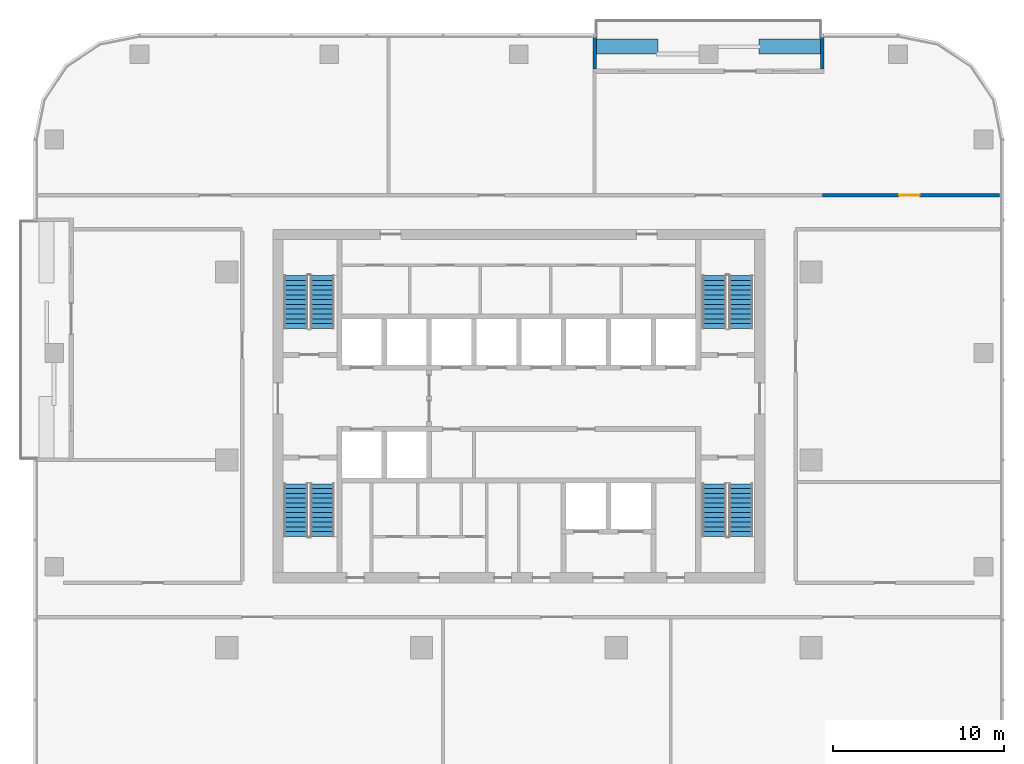
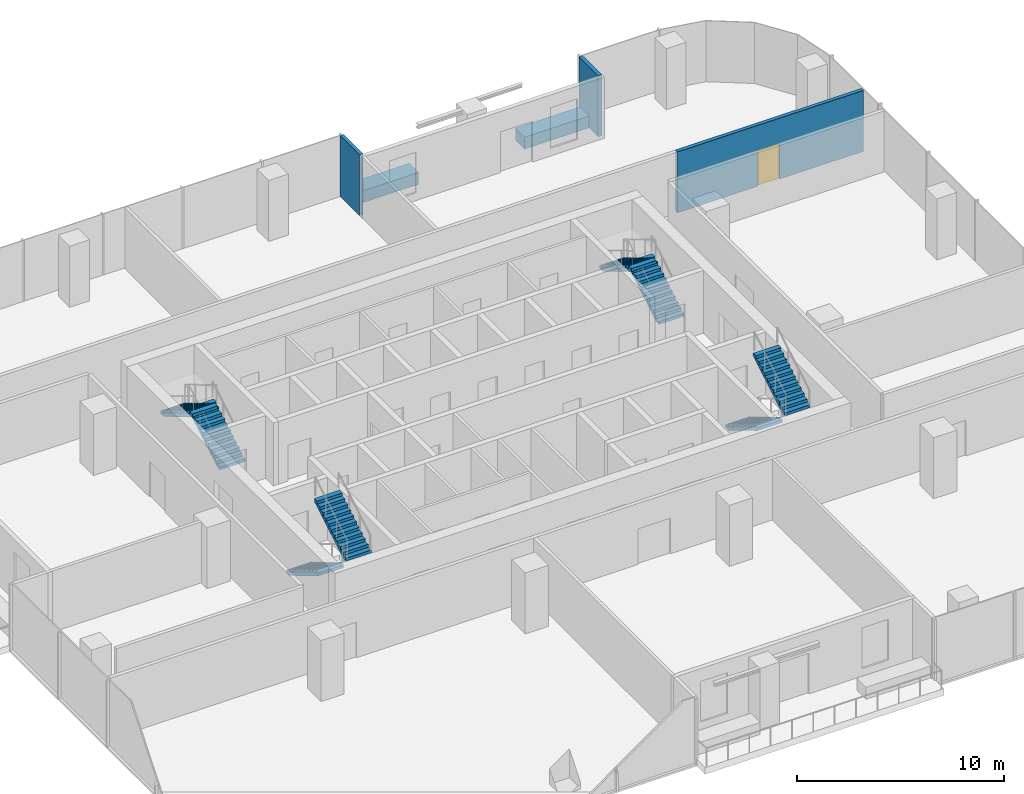
# One storey, part 10 of 14: 8 stair flights, 5 walls, 1 door, 1 opening, 4 elements without a shape of their own.
"""IFC4 building model written with IfcOpenShell, lengths in metres."""

from ifc_helpers import new_model, si_unit, direction, frame, frame_2d, origin, place, context, subcontext, project, spatial, polyline, rectangle, outline, extrude, material, layer, layer_set, type_object, element, fill, aggregate, save


model = new_model("IFC4")

# Units and contexts
model_context = context("Model", 3, precision=1e-05, world=origin(), true_north=direction((0.0, 1.0)))
body_context = subcontext(model_context, "Body", "Model", "MODEL_VIEW")
ifc_project = project(units=[si_unit("LENGTHUNIT", "METRE"), si_unit("AREAUNIT", "SQUARE_METRE"), si_unit("VOLUMEUNIT", "CUBIC_METRE"), si_unit("PLANEANGLEUNIT", "RADIAN"), si_unit("MASSUNIT", "GRAM", prefix="KILO")], contexts=[model_context])

# Site, building, storey
site_placement = place(None, origin())
site = spatial("IfcSite", under=ifc_project, at=site_placement, CompositionType="ELEMENT")
building_placement = place(site_placement, origin())
building = spatial("IfcBuilding", under=site, at=building_placement, Name="Mopane Tessera Tower", CompositionType="ELEMENT")
storey_placement = place(building_placement, frame((0.0, 0.0, 243.0)))
storey = spatial("IfcBuildingStorey", under=building, at=storey_placement, Name="L52", CompositionType="ELEMENT", Elevation=243.0)

# Wall, opening, door
ifc_material_1 = material(Name="Gypsum board on steel studs, two layers each face, mineral wool infill", Category="steel")
ifc_layer_1 = layer(ifc_material_1, 0.199951171875)
ifc_layer_set_1 = layer_set([ifc_layer_1], Name="Gypsum board on steel studs, two layers each face, mineral wool infill")
wall_type_1 = type_object("IfcWallType", Name="Gypsum board corridor wall 200, rated EI 60", PredefinedType="PARTITIONING", material=ifc_layer_set_1)
wall_placement = place(storey_placement, frame((17.784912109375, 15.5, 0.0), z_axis=(0.0, 0.0, 1.0), x_axis=(1.0, 0.0, 0.0)))
wall = element("IfcWall", 1, at=wall_placement, inside=storey, type_object=wall_type_1, Name="Partition L52:008", PredefinedType="PARTITIONING", context=body_context, shape_type="SweptSolid", body=[
    extrude(rectangle(XDim=10.364990234375, YDim=0.199951171875, at=frame_2d((5.1826171875, 0.0))), origin(), (0.0, 0.0, 1.0), 3.60009765625),
])
opening_placement = place(wall_placement, frame((4.482421875, 0.0, 0.0)))
opening = element("IfcOpeningElement", 2, at=opening_placement, cuts=wall, Name="Opening L52-04", PredefinedType="OPENING", context=body_context, shape_type="SweptSolid", body=[
    extrude(rectangle(XDim=1.199951171875, YDim=2.10009765625, at=frame_2d((0.60009765625, 1.050048828125))), frame((0.0, 0.112060546875, 0.0), z_axis=(0.0, -1.0, 0.0), x_axis=(1.0, 0.0, 0.0)), (0.0, 0.0, 1.0), 0.223876953125),
])
ifc_material_2 = material(Name="Timber veneered steel-framed fire door", Category="steel")
door_type = type_object("IfcDoorType", Name="Fire door FD60 1200 x 2100", OperationType="SINGLE_SWING_LEFT", PredefinedType="DOOR", material=ifc_material_2)
door_placement = place(opening_placement, origin())
door = element("IfcDoor", 3, at=door_placement, inside=storey, type_object=door_type, Name="Door L52-04", ObjectType="D15A", OperationType="SINGLE_SWING_LEFT", OverallHeight=2.10009765625, OverallWidth=1.199951171875, PredefinedType="DOOR", context=body_context, shape_type="SweptSolid", body=[
    extrude(rectangle(XDim=1.199951171875, YDim=2.10009765625, at=frame_2d((0.60009765625, 1.050048828125))), frame((0.0, 0.02490234375, 0.0), z_axis=(0.0, -1.0, 0.0), x_axis=(1.0, 0.0, 0.0)), (0.0, 0.0, 1.0), 0.050048828125),
])
fill(opening, door)

# Walls
ifc_material_3 = material(Name="Reinforced concrete C32/40 with waterproofing", Category="concrete")
ifc_layer_2 = layer(ifc_material_3, 0.89990234375)
ifc_layer_set_2 = layer_set([ifc_layer_2], Name="Reinforced concrete C32/40 with waterproofing")
wall_type_2 = type_object("IfcWallType", Name="Planter trough 3600 x 900", PredefinedType="STANDARD", material=ifc_layer_set_2)
for number, where, z_axis, x_axis, name in (
    (4, (17.659912109375, 24.199951171875, 0.0), (0.0, 0.0, 1.0), (-1.0, 0.0, 0.0), "e:nw:L52:N2:pl0"),
    (5, (8.139892578125, 24.199951171875, 0.0), (0.0, 0.0, 1.0), (-1.0, 0.0, 0.0), "e:nw:L52:N2:pl1"),
):
    element("IfcWall", number, at=place(storey_placement, frame(where, z_axis=z_axis, x_axis=x_axis)), inside=storey, type_object=wall_type_2, Name=name, PredefinedType="STANDARD", context=body_context, shape_type="SweptSolid", body=[
        extrude(rectangle(XDim=3.599853515625, YDim=0.89990234375, at=frame_2d((1.7998046875, 0.0))), origin(), (0.0, 0.0, 1.0), 0.699951171875),
    ])
ifc_material_4 = material(Name="Blockwork with glazed tile facing", Category="masonry")
ifc_layer_3 = layer(ifc_material_4, 0.199951171875)
ifc_layer_set_3 = layer_set([ifc_layer_3], Name="Blockwork with glazed tile facing")
wall_type_3 = type_object("IfcWallType", Name="Terrace cheek wall 200", PredefinedType="STANDARD", material=ifc_layer_set_3)
for number, where, z_axis, x_axis, name in (
    (6, (17.760009765625, 24.75, 0.0), (0.0, 0.0, 1.0), (0.0, -1.0, 0.0), "e:nw:L52:N2:cheeka"),
    (7, (4.43994140625, 24.75, 0.0), (0.0, 0.0, 1.0), (0.0, -1.0, 0.0), "e:nw:L52:N2:cheekb"),
):
    element("IfcWall", number, at=place(storey_placement, frame(where, z_axis=z_axis, x_axis=x_axis)), inside=storey, type_object=wall_type_3, Name=name, PredefinedType="STANDARD", context=body_context, shape_type="SweptSolid", body=[
        extrude(rectangle(XDim=1.875, YDim=0.199951171875, at=frame_2d((0.9375, 0.0))), origin(), (0.0, 0.0, 1.0), 3.60009765625),
    ])

# Stair, stair flights
ifc_material_5 = material(Name="Concrete C50/60", Category="concrete")
stair_type = type_object("IfcStairType", Name="Escape stair 1400 mm, riser 167 mm", PredefinedType="HALF_TURN_STAIR", material=ifc_material_5)
stair_1_placement = place(storey_placement, origin())
stair_1 = element("IfcStair", 8, at=stair_1_placement, inside=storey, type_object=stair_type, Name="L52 Escape stair south-west", PredefinedType="HALF_TURN_STAIR")
ifc_material_6 = material(Name="Concrete C50/60", Category="concrete")
stair_flight_type = type_object("IfcStairFlightType", Name="Escape stair flight 1400 mm", PredefinedType="STRAIGHT", material=ifc_material_6)
stair_flight_1_placement = place(storey_placement, frame((-13.050048828125, -1.39990234375, 0.0), z_axis=(0.0, 0.0, 1.0), x_axis=(0.0, -1.0, 0.0)))
stair_flight_1 = element("IfcStairFlight", 9, at=stair_flight_1_placement, type_object=stair_flight_type, Name="ST1 flight 1", NumberOfRisers=12, NumberOfTreads=11, PredefinedType="STRAIGHT", RiserHeight=0.166666667, TreadLength=0.28, context=body_context, shape_type="SweptSolid", body=[
    extrude(outline(polyline([(0.0, 0.0), (0.0, 0.166748046875), (0.280029296875, 0.166748046875), (0.280029296875, 0.333251953125), (0.56005859375, 0.333251953125), (0.56005859375, 0.5), (0.840087890625, 0.5), (0.840087890625, 0.666748046875), (1.1201171875, 0.666748046875), (1.1201171875, 0.833251953125), (1.39990234375, 0.833251953125), (1.39990234375, 1.0), (1.679931640625, 1.0), (1.679931640625, 1.166748046875), (1.9599609375, 1.166748046875), (1.9599609375, 1.333251953125), (2.239990234375, 1.333251953125), (2.239990234375, 1.5), (2.52001953125, 1.5), (2.52001953125, 1.666748046875), (2.800048828125, 1.666748046875), (2.800048828125, 1.833251953125), (3.080078125, 1.833251953125), (3.080078125, 2.0), (3.080078125, 1.658935546875), (0.29296875, 0.0), (0.0, 0.0)])), frame((0.0, 0.699951171875, 0.0), z_axis=(0.0, -1.0, 0.0), x_axis=(1.0, 0.0, 0.0)), (0.0, 0.0, 1.0), 1.39990234375),
])
stair_flight_2_placement = place(storey_placement, frame((-11.5, -4.47998046875, 2.0), z_axis=(0.0, 0.0, 1.0), x_axis=(0.0, 1.0, 0.0)))
stair_flight_2 = element("IfcStairFlight", 10, at=stair_flight_2_placement, type_object=stair_flight_type, Name="ST1 flight 2", NumberOfRisers=12, NumberOfTreads=11, PredefinedType="STRAIGHT", RiserHeight=0.166666667, TreadLength=0.28, context=body_context, shape_type="SweptSolid", body=[
    extrude(outline(polyline([(0.0, 0.0), (0.0, 0.166748046875), (0.280029296875, 0.166748046875), (0.280029296875, 0.333251953125), (0.56005859375, 0.333251953125), (0.56005859375, 0.5), (0.840087890625, 0.5), (0.840087890625, 0.666748046875), (1.1201171875, 0.666748046875), (1.1201171875, 0.833251953125), (1.39990234375, 0.833251953125), (1.39990234375, 1.0), (1.679931640625, 1.0), (1.679931640625, 1.166748046875), (1.9599609375, 1.166748046875), (1.9599609375, 1.333251953125), (2.239990234375, 1.333251953125), (2.239990234375, 1.5), (2.52001953125, 1.5), (2.52001953125, 1.666748046875), (2.800048828125, 1.666748046875), (2.800048828125, 1.833251953125), (3.080078125, 1.833251953125), (3.080078125, 2.0), (3.080078125, 1.658935546875), (0.29296875, 0.0), (0.0, 0.0)])), frame((0.0, 0.699951171875, 0.0), z_axis=(0.0, -1.0, 0.0), x_axis=(1.0, 0.0, 0.0)), (0.0, 0.0, 1.0), 1.39990234375),
])
aggregate(stair_1, [stair_flight_1, stair_flight_2])

stair_2_placement = place(storey_placement, origin())
stair_2 = element("IfcStair", 11, at=stair_2_placement, inside=storey, type_object=stair_type, Name="L52 Escape stair north-west", PredefinedType="HALF_TURN_STAIR")
stair_flight_3_placement = place(storey_placement, frame((-11.5, 7.699951171875, 0.0), z_axis=(0.0, 0.0, 1.0), x_axis=(0.0, 1.0, 0.0)))
stair_flight_3 = element("IfcStairFlight", 12, at=stair_flight_3_placement, type_object=stair_flight_type, Name="ST2 flight 1", NumberOfRisers=12, NumberOfTreads=11, PredefinedType="STRAIGHT", RiserHeight=0.166666667, TreadLength=0.28, context=body_context, shape_type="SweptSolid", body=[
    extrude(outline(polyline([(0.0, 0.0), (0.0, 0.166748046875), (0.280029296875, 0.166748046875), (0.280029296875, 0.333251953125), (0.56005859375, 0.333251953125), (0.56005859375, 0.5), (0.840087890625, 0.5), (0.840087890625, 0.666748046875), (1.1201171875, 0.666748046875), (1.1201171875, 0.833251953125), (1.39990234375, 0.833251953125), (1.39990234375, 1.0), (1.679931640625, 1.0), (1.679931640625, 1.166748046875), (1.9599609375, 1.166748046875), (1.9599609375, 1.333251953125), (2.239990234375, 1.333251953125), (2.239990234375, 1.5), (2.52001953125, 1.5), (2.52001953125, 1.666748046875), (2.800048828125, 1.666748046875), (2.800048828125, 1.833251953125), (3.080078125, 1.833251953125), (3.080078125, 2.0), (3.080078125, 1.658935546875), (0.29296875, 0.0), (0.0, 0.0)])), frame((0.0, 0.699951171875, 0.0), z_axis=(0.0, -1.0, 0.0), x_axis=(1.0, 0.0, 0.0)), (0.0, 0.0, 1.0), 1.39990234375),
])
stair_flight_4_placement = place(storey_placement, frame((-13.050048828125, 10.780029296875, 2.0), z_axis=(0.0, 0.0, 1.0), x_axis=(0.0, -1.0, 0.0)))
stair_flight_4 = element("IfcStairFlight", 13, at=stair_flight_4_placement, type_object=stair_flight_type, Name="ST2 flight 2", NumberOfRisers=12, NumberOfTreads=11, PredefinedType="STRAIGHT", RiserHeight=0.166666667, TreadLength=0.28, context=body_context, shape_type="SweptSolid", body=[
    extrude(outline(polyline([(0.0, 0.0), (0.0, 0.166748046875), (0.280029296875, 0.166748046875), (0.280029296875, 0.333251953125), (0.56005859375, 0.333251953125), (0.56005859375, 0.5), (0.840087890625, 0.5), (0.840087890625, 0.666748046875), (1.1201171875, 0.666748046875), (1.1201171875, 0.833251953125), (1.39990234375, 0.833251953125), (1.39990234375, 1.0), (1.679931640625, 1.0), (1.679931640625, 1.166748046875), (1.9599609375, 1.166748046875), (1.9599609375, 1.333251953125), (2.239990234375, 1.333251953125), (2.239990234375, 1.5), (2.52001953125, 1.5), (2.52001953125, 1.666748046875), (2.800048828125, 1.666748046875), (2.800048828125, 1.833251953125), (3.080078125, 1.833251953125), (3.080078125, 2.0), (3.080078125, 1.658935546875), (0.29296875, 0.0), (0.0, 0.0)])), frame((0.0, 0.699951171875, 0.0), z_axis=(0.0, -1.0, 0.0), x_axis=(1.0, 0.0, 0.0)), (0.0, 0.0, 1.0), 1.39990234375),
])
aggregate(stair_2, [stair_flight_3, stair_flight_4])

stair_3_placement = place(storey_placement, origin())
stair_3 = element("IfcStair", 14, at=stair_3_placement, inside=storey, type_object=stair_type, Name="L52 Escape stair south-east", PredefinedType="HALF_TURN_STAIR")
stair_flight_5_placement = place(storey_placement, frame((11.449951171875, -1.39990234375, 0.0), z_axis=(0.0, 0.0, 1.0), x_axis=(0.0, -1.0, 0.0)))
stair_flight_5 = element("IfcStairFlight", 15, at=stair_flight_5_placement, type_object=stair_flight_type, Name="ST3 flight 1", NumberOfRisers=12, NumberOfTreads=11, PredefinedType="STRAIGHT", RiserHeight=0.166666667, TreadLength=0.28, context=body_context, shape_type="SweptSolid", body=[
    extrude(outline(polyline([(0.0, 0.0), (0.0, 0.166748046875), (0.280029296875, 0.166748046875), (0.280029296875, 0.333251953125), (0.56005859375, 0.333251953125), (0.56005859375, 0.5), (0.840087890625, 0.5), (0.840087890625, 0.666748046875), (1.1201171875, 0.666748046875), (1.1201171875, 0.833251953125), (1.39990234375, 0.833251953125), (1.39990234375, 1.0), (1.679931640625, 1.0), (1.679931640625, 1.166748046875), (1.9599609375, 1.166748046875), (1.9599609375, 1.333251953125), (2.239990234375, 1.333251953125), (2.239990234375, 1.5), (2.52001953125, 1.5), (2.52001953125, 1.666748046875), (2.800048828125, 1.666748046875), (2.800048828125, 1.833251953125), (3.080078125, 1.833251953125), (3.080078125, 2.0), (3.080078125, 1.658935546875), (0.29296875, 0.0), (0.0, 0.0)])), frame((0.0, 0.699951171875, 0.0), z_axis=(0.0, -1.0, 0.0), x_axis=(1.0, 0.0, 0.0)), (0.0, 0.0, 1.0), 1.39990234375),
])
stair_flight_6_placement = place(storey_placement, frame((13.0, -4.47998046875, 2.0), z_axis=(0.0, 0.0, 1.0), x_axis=(0.0, 1.0, 0.0)))
stair_flight_6 = element("IfcStairFlight", 16, at=stair_flight_6_placement, type_object=stair_flight_type, Name="ST3 flight 2", NumberOfRisers=12, NumberOfTreads=11, PredefinedType="STRAIGHT", RiserHeight=0.166666667, TreadLength=0.28, context=body_context, shape_type="SweptSolid", body=[
    extrude(outline(polyline([(0.0, 0.0), (0.0, 0.166748046875), (0.280029296875, 0.166748046875), (0.280029296875, 0.333251953125), (0.56005859375, 0.333251953125), (0.56005859375, 0.5), (0.840087890625, 0.5), (0.840087890625, 0.666748046875), (1.1201171875, 0.666748046875), (1.1201171875, 0.833251953125), (1.39990234375, 0.833251953125), (1.39990234375, 1.0), (1.679931640625, 1.0), (1.679931640625, 1.166748046875), (1.9599609375, 1.166748046875), (1.9599609375, 1.333251953125), (2.239990234375, 1.333251953125), (2.239990234375, 1.5), (2.52001953125, 1.5), (2.52001953125, 1.666748046875), (2.800048828125, 1.666748046875), (2.800048828125, 1.833251953125), (3.080078125, 1.833251953125), (3.080078125, 2.0), (3.080078125, 1.658935546875), (0.29296875, 0.0), (0.0, 0.0)])), frame((0.0, 0.699951171875, 0.0), z_axis=(0.0, -1.0, 0.0), x_axis=(1.0, 0.0, 0.0)), (0.0, 0.0, 1.0), 1.39990234375),
])
aggregate(stair_3, [stair_flight_5, stair_flight_6])

stair_4_placement = place(storey_placement, origin())
stair_4 = element("IfcStair", 17, at=stair_4_placement, inside=storey, type_object=stair_type, Name="L52 Escape stair north-east", PredefinedType="HALF_TURN_STAIR")
stair_flight_7_placement = place(storey_placement, frame((13.0, 7.699951171875, 0.0), z_axis=(0.0, 0.0, 1.0), x_axis=(0.0, 1.0, 0.0)))
stair_flight_7 = element("IfcStairFlight", 18, at=stair_flight_7_placement, type_object=stair_flight_type, Name="ST4 flight 1", NumberOfRisers=12, NumberOfTreads=11, PredefinedType="STRAIGHT", RiserHeight=0.166666667, TreadLength=0.28, context=body_context, shape_type="SweptSolid", body=[
    extrude(outline(polyline([(0.0, 0.0), (0.0, 0.166748046875), (0.280029296875, 0.166748046875), (0.280029296875, 0.333251953125), (0.56005859375, 0.333251953125), (0.56005859375, 0.5), (0.840087890625, 0.5), (0.840087890625, 0.666748046875), (1.1201171875, 0.666748046875), (1.1201171875, 0.833251953125), (1.39990234375, 0.833251953125), (1.39990234375, 1.0), (1.679931640625, 1.0), (1.679931640625, 1.166748046875), (1.9599609375, 1.166748046875), (1.9599609375, 1.333251953125), (2.239990234375, 1.333251953125), (2.239990234375, 1.5), (2.52001953125, 1.5), (2.52001953125, 1.666748046875), (2.800048828125, 1.666748046875), (2.800048828125, 1.833251953125), (3.080078125, 1.833251953125), (3.080078125, 2.0), (3.080078125, 1.658935546875), (0.29296875, 0.0), (0.0, 0.0)])), frame((0.0, 0.699951171875, 0.0), z_axis=(0.0, -1.0, 0.0), x_axis=(1.0, 0.0, 0.0)), (0.0, 0.0, 1.0), 1.39990234375),
])
stair_flight_8_placement = place(storey_placement, frame((11.449951171875, 10.780029296875, 2.0), z_axis=(0.0, 0.0, 1.0), x_axis=(0.0, -1.0, 0.0)))
stair_flight_8 = element("IfcStairFlight", 19, at=stair_flight_8_placement, type_object=stair_flight_type, Name="ST4 flight 2", NumberOfRisers=12, NumberOfTreads=11, PredefinedType="STRAIGHT", RiserHeight=0.166666667, TreadLength=0.28, context=body_context, shape_type="SweptSolid", body=[
    extrude(outline(polyline([(0.0, 0.0), (0.0, 0.166748046875), (0.280029296875, 0.166748046875), (0.280029296875, 0.333251953125), (0.56005859375, 0.333251953125), (0.56005859375, 0.5), (0.840087890625, 0.5), (0.840087890625, 0.666748046875), (1.1201171875, 0.666748046875), (1.1201171875, 0.833251953125), (1.39990234375, 0.833251953125), (1.39990234375, 1.0), (1.679931640625, 1.0), (1.679931640625, 1.166748046875), (1.9599609375, 1.166748046875), (1.9599609375, 1.333251953125), (2.239990234375, 1.333251953125), (2.239990234375, 1.5), (2.52001953125, 1.5), (2.52001953125, 1.666748046875), (2.800048828125, 1.666748046875), (2.800048828125, 1.833251953125), (3.080078125, 1.833251953125), (3.080078125, 2.0), (3.080078125, 1.658935546875), (0.29296875, 0.0), (0.0, 0.0)])), frame((0.0, 0.699951171875, 0.0), z_axis=(0.0, -1.0, 0.0), x_axis=(1.0, 0.0, 0.0)), (0.0, 0.0, 1.0), 1.39990234375),
])
aggregate(stair_4, [stair_flight_7, stair_flight_8])

save(model, "model.ifc")
